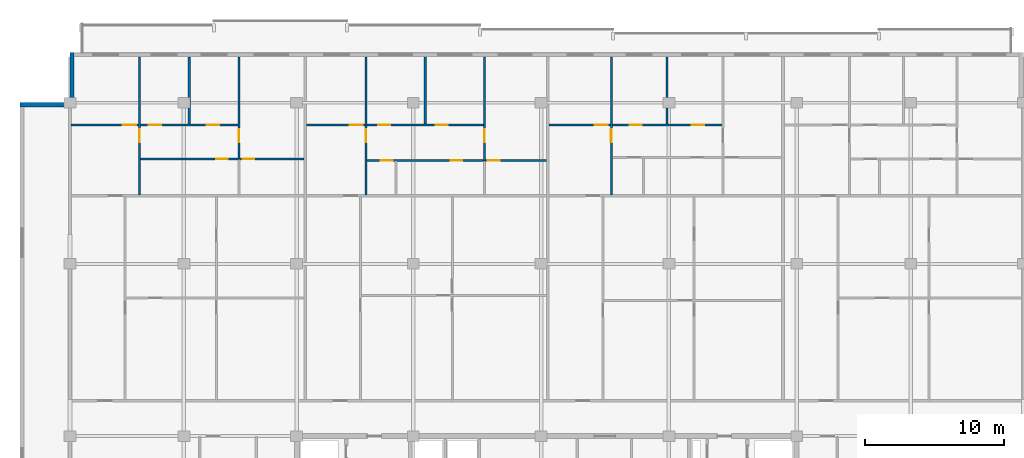
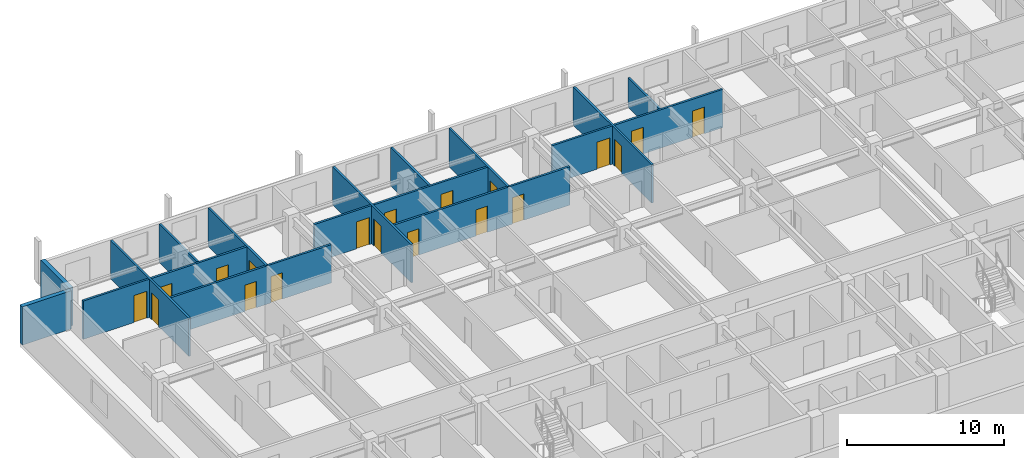
# One storey, part 15 of 23: 19 doors, 15 walls, 19 openings.
"""IFC4 building model written with IfcOpenShell, lengths in metres."""

from ifc_helpers import new_model, si_unit, direction, frame, frame_2d, origin, place, context, subcontext, project, spatial, rectangle, extrude, material, layer, layer_set, type_object, element, fill, save


model = new_model("IFC4")

# Units and contexts
model_context = context("Model", 3, precision=1e-05, world=origin(), true_north=direction((0.0, 1.0)))
body_context = subcontext(model_context, "Body", "Model", "MODEL_VIEW")
ifc_project = project(units=[si_unit("LENGTHUNIT", "METRE"), si_unit("AREAUNIT", "SQUARE_METRE"), si_unit("VOLUMEUNIT", "CUBIC_METRE"), si_unit("PLANEANGLEUNIT", "RADIAN"), si_unit("MASSUNIT", "GRAM", prefix="KILO")], contexts=[model_context])

# Site, building, storey
site_placement = place(None, origin())
site = spatial("IfcSite", under=ifc_project, at=site_placement, CompositionType="ELEMENT")
building_placement = place(site_placement, origin())
building = spatial("IfcBuilding", under=site, at=building_placement, Name="Korimba Cascade Residences", CompositionType="ELEMENT")
storey_placement = place(building_placement, frame((0.0, 0.0, 165.35009765625)))
storey = spatial("IfcBuildingStorey", under=building, at=storey_placement, Name="L47", CompositionType="ELEMENT", Elevation=165.35009765625)

# Walls
ifc_material_1 = material(Name="Precast concrete C40/50", Category="concrete")
ifc_layer_1 = layer(ifc_material_1, 0.300048828125)
ifc_layer_set_1 = layer_set([ifc_layer_1], Name="Precast concrete C40/50")
wall_type_1 = type_object("IfcWallType", Name="EW-STONE-300", PredefinedType="STANDARD", material=ifc_layer_set_1)
for number, where, z_axis, x_axis, name in (
    (1, (59.949951171875, 94.800048828125, 0.0), (0.0, 0.0, 1.0), (0.0, -1.0, 0.0), "L47 T1 Perimeter Stone Wall E07"),
    (2, (59.800048828125, 91.050048828125, 0.0), (0.0, 0.0, 1.0), (-1.0, 0.0, 0.0), "L47 T1 Perimeter Stone Wall E08"),
):
    element("IfcWall", number, at=place(storey_placement, frame(where, z_axis=z_axis, x_axis=x_axis)), inside=storey, type_object=wall_type_1, Name=name, PredefinedType="STANDARD", context=body_context, shape_type="SweptSolid", body=[
        extrude(rectangle(XDim=3.60009765625, YDim=0.300048828125, at=frame_2d((1.800048828125, 0.0))), origin(), (0.0, 0.0, 1.0), 2.969970703125),
    ])
ifc_material_2 = material(Name="Insulated Acoustic Stud Partition", Category="gypsum")
ifc_layer_2 = layer(ifc_material_2, 0.14990234375)
ifc_layer_set_2 = layer_set([ifc_layer_2], Name="Insulated Acoustic Stud Partition")
wall_type_2 = type_object("IfcWallType", Name="WAL-PART-150", PredefinedType="PARTITIONING", material=ifc_layer_set_2)
wall_1_placement = place(storey_placement, frame((68.382568359375, 89.679931640625, 0.0), z_axis=(0.0, 0.0, 1.0), x_axis=(0.0, 1.0, 0.0)))
element("IfcWall", 3, at=wall_1_placement, inside=storey, type_object=wall_type_2, Name="L47 Partition Wall WAL-L47-T1-U01-VB3", PredefinedType="PARTITIONING", context=body_context, shape_type="SweptSolid", body=[
    extrude(rectangle(XDim=4.820068359375, YDim=0.14990234375, at=frame_2d((2.41015625, 0.0))), origin(), (0.0, 0.0, 1.0), 2.969970703125),
])

# Wall, opening, door
wall_2_placement = place(storey_placement, frame((64.800048828125, 84.5400390625, 0.0), z_axis=(0.0, 0.0, 1.0), x_axis=(0.0, 1.0, 0.0)))
wall_2 = element("IfcWall", 4, at=wall_2_placement, inside=storey, type_object=wall_type_2, Name="L47 Partition Wall WAL-L47-T1-U01-V1", PredefinedType="PARTITIONING", context=body_context, shape_type="SweptSolid", body=[
    extrude(rectangle(XDim=9.9599609375, YDim=0.14990234375, at=frame_2d((4.97998046875, 0.0))), origin(), (0.0, 0.0, 1.0), 2.969970703125),
])
opening_1_placement = place(wall_2_placement, frame((3.820068359375, 0.0, 0.0)))
opening_1 = element("IfcOpeningElement", 5, at=opening_1_placement, cuts=wall_2, Name="Opening D-IN1", PredefinedType="OPENING", context=body_context, shape_type="SweptSolid", body=[
    extrude(rectangle(XDim=0.919921875, YDim=2.080078125, at=frame_2d((0.4599609375, 1.0400390625))), frame((0.0, 0.0849609375, 0.0), z_axis=(0.0, -1.0, 0.0), x_axis=(1.0, 0.0, 0.0)), (0.0, 0.0, 1.0), 0.169921875),
])
ifc_material_3 = material(Name="Acoustic Timber Living Door", Category="wood")
door_type_1 = type_object("IfcDoorType", Name="DR-INT-920", OperationType="NOTDEFINED", PredefinedType="DOOR", material=ifc_material_3)
door_1_placement = place(opening_1_placement, origin())
door_1 = element("IfcDoor", 6, at=door_1_placement, inside=storey, type_object=door_type_1, Name="L47-T1-U01 Hallway Door", OperationType="SINGLE_SWING_LEFT", OverallHeight=2.080078125, OverallWidth=0.919921875, PredefinedType="DOOR", context=body_context, shape_type="SweptSolid", body=[
    extrude(rectangle(XDim=0.919921875, YDim=2.080078125, at=frame_2d((0.4599609375, 1.0400390625))), frame((0.0, 0.02490234375, 0.0), z_axis=(0.0, -1.0, 0.0), x_axis=(1.0, 0.0, 0.0)), (0.0, 0.0, 1.0), 0.050048828125),
])
fill(opening_1, door_1)

wall_3_placement = place(storey_placement, frame((71.965087890625, 87.159912109375, 0.0), z_axis=(0.0, 0.0, 1.0), x_axis=(0.0, 1.0, 0.0)))
wall_3 = element("IfcWall", 7, at=wall_3_placement, inside=storey, type_object=wall_type_2, Name="L47 Partition Wall WAL-L47-T1-U01-V2FULL", PredefinedType="PARTITIONING", context=body_context, shape_type="SweptSolid", body=[
    extrude(rectangle(XDim=7.340087890625, YDim=0.14990234375, at=frame_2d((3.669921875, 0.0))), origin(), (0.0, 0.0, 1.0), 2.969970703125),
])
opening_2_placement = place(wall_3_placement, frame((1.199951171875, 0.0, 0.0)))
opening_2 = element("IfcOpeningElement", 8, at=opening_2_placement, cuts=wall_3, Name="Opening D-IN1", PredefinedType="OPENING", context=body_context, shape_type="SweptSolid", body=[
    extrude(rectangle(XDim=0.919921875, YDim=2.080078125, at=frame_2d((0.4599609375, 1.0400390625))), frame((0.0, 0.0849609375, 0.0), z_axis=(0.0, -1.0, 0.0), x_axis=(1.0, 0.0, 0.0)), (0.0, 0.0, 1.0), 0.169921875),
])
door_2_placement = place(opening_2_placement, origin())
door_2 = element("IfcDoor", 9, at=door_2_placement, inside=storey, type_object=door_type_1, Name="L47-T1-U01 Master Bedroom Door", OperationType="SINGLE_SWING_RIGHT", OverallHeight=2.080078125, OverallWidth=0.919921875, PredefinedType="DOOR", context=body_context, shape_type="SweptSolid", body=[
    extrude(rectangle(XDim=0.919921875, YDim=2.080078125, at=frame_2d((0.4599609375, 1.0400390625))), frame((0.0, 0.02490234375, 0.0), z_axis=(0.0, -1.0, 0.0), x_axis=(1.0, 0.0, 0.0)), (0.0, 0.0, 1.0), 0.050048828125),
])
fill(opening_2, door_2)

# Wall, openings, doors
wall_4_placement = place(storey_placement, frame((64.840087890625, 87.139892578125, 0.0), z_axis=(0.0, 0.0, 1.0), x_axis=(1.0, 0.0, 0.0)))
wall_4 = element("IfcWall", 10, at=wall_4_placement, inside=storey, type_object=wall_type_2, Name="L47 Partition Wall WAL-L47-T1-U01-HWALL", PredefinedType="PARTITIONING", context=body_context, shape_type="SweptSolid", body=[
    extrude(rectangle(XDim=11.81494140625, YDim=0.14990234375, at=frame_2d((5.907470703125, 0.0))), origin(), (0.0, 0.0, 1.0), 2.969970703125),
])
opening_3_placement = place(wall_4_placement, frame((5.487548828125, 0.0, 0.0)))
opening_3 = element("IfcOpeningElement", 11, at=opening_3_placement, cuts=wall_4, Name="Opening D-BT1", PredefinedType="OPENING", context=body_context, shape_type="SweptSolid", body=[
    extrude(rectangle(XDim=0.840087890625, YDim=2.0400390625, at=frame_2d((0.419921875, 1.02001953125))), frame((0.0, 0.0849609375, 0.0), z_axis=(0.0, -1.0, 0.0), x_axis=(1.0, 0.0, 0.0)), (0.0, 0.0, 1.0), 0.169921875),
])
opening_4_placement = place(wall_4_placement, frame((7.375, 0.0, 0.0)))
opening_4 = element("IfcOpeningElement", 12, at=opening_4_placement, cuts=wall_4, Name="Opening D-BT1", PredefinedType="OPENING", context=body_context, shape_type="SweptSolid", body=[
    extrude(rectangle(XDim=0.840087890625, YDim=2.0400390625, at=frame_2d((0.419921875, 1.02001953125))), frame((0.0, 0.0849609375, 0.0), z_axis=(0.0, -1.0, 0.0), x_axis=(1.0, 0.0, 0.0)), (0.0, 0.0, 1.0), 0.169921875),
])
ifc_material_4 = material(Name="Moisture-Resistant Bathroom Timber Door", Category="wood")
door_type_2 = type_object("IfcDoorType", Name="DR-INT-850", OperationType="NOTDEFINED", PredefinedType="DOOR", material=ifc_material_4)
door_3_placement = place(opening_3_placement, origin())
door_3 = element("IfcDoor", 13, at=door_3_placement, inside=storey, type_object=door_type_2, Name="L47-T1-U01 Family Bathroom Door", OperationType="SINGLE_SWING_LEFT", OverallHeight=2.0400390625, OverallWidth=0.840087890625, PredefinedType="DOOR", context=body_context, shape_type="SweptSolid", body=[
    extrude(rectangle(XDim=0.840087890625, YDim=2.0400390625, at=frame_2d((0.419921875, 1.02001953125))), frame((0.0, 0.02490234375, 0.0), z_axis=(0.0, -1.0, 0.0), x_axis=(1.0, 0.0, 0.0)), (0.0, 0.0, 1.0), 0.050048828125),
])
fill(opening_3, door_3)
door_4_placement = place(opening_4_placement, origin())
door_4 = element("IfcDoor", 14, at=door_4_placement, inside=storey, type_object=door_type_2, Name="L47-T1-U01 En-Suite Door", OperationType="SINGLE_SWING_RIGHT", OverallHeight=2.0400390625, OverallWidth=0.840087890625, PredefinedType="DOOR", context=body_context, shape_type="SweptSolid", body=[
    extrude(rectangle(XDim=0.840087890625, YDim=2.0400390625, at=frame_2d((0.419921875, 1.02001953125))), frame((0.0, 0.02490234375, 0.0), z_axis=(0.0, -1.0, 0.0), x_axis=(1.0, 0.0, 0.0)), (0.0, 0.0, 1.0), 0.050048828125),
])
fill(opening_4, door_4)

wall_5_placement = place(storey_placement, frame((59.8798828125, 89.60009765625, 0.0), z_axis=(0.0, 0.0, 1.0), x_axis=(1.0, 0.0, 0.0)))
wall_5 = element("IfcWall", 15, at=wall_5_placement, inside=storey, type_object=wall_type_2, Name="L47 Partition Wall WAL-L47-T1-U01-HZ", PredefinedType="PARTITIONING", context=body_context, shape_type="SweptSolid", body=[
    extrude(rectangle(XDim=12.085205078125, YDim=0.14990234375, at=frame_2d((6.04248046875, 0.0))), origin(), (0.0, 0.0, 1.0), 2.969970703125),
])
opening_5_placement = place(wall_5_placement, frame((3.72998046875, 0.0, 0.0)))
opening_5 = element("IfcOpeningElement", 16, at=opening_5_placement, cuts=wall_5, Name="Opening D-IN0", PredefinedType="OPENING", context=body_context, shape_type="SweptSolid", body=[
    extrude(rectangle(XDim=0.93994140625, YDim=2.10009765625, at=frame_2d((0.469970703125, 1.050048828125))), frame((0.0, 0.0849609375, 0.0), z_axis=(0.0, -1.0, 0.0), x_axis=(1.0, 0.0, 0.0)), (0.0, 0.0, 1.0), 0.169921875),
])
opening_6_placement = place(wall_5_placement, frame((5.6025390625, 0.0, 0.0)))
opening_6 = element("IfcOpeningElement", 17, at=opening_6_placement, cuts=wall_5, Name="Opening D-IN2", PredefinedType="OPENING", context=body_context, shape_type="SweptSolid", body=[
    extrude(rectangle(XDim=0.8798828125, YDim=2.06005859375, at=frame_2d((0.43994140625, 1.030029296875))), frame((0.0, 0.0849609375, 0.0), z_axis=(0.0, -1.0, 0.0), x_axis=(1.0, 0.0, 0.0)), (0.0, 0.0, 1.0), 0.169921875),
])
opening_7_placement = place(wall_5_placement, frame((9.76318359375, 0.0, 0.0)))
opening_7 = element("IfcOpeningElement", 18, at=opening_7_placement, cuts=wall_5, Name="Opening D-IN2", PredefinedType="OPENING", context=body_context, shape_type="SweptSolid", body=[
    extrude(rectangle(XDim=0.8798828125, YDim=2.06005859375, at=frame_2d((0.43994140625, 1.030029296875))), frame((0.0, 0.0849609375, 0.0), z_axis=(0.0, -1.0, 0.0), x_axis=(1.0, 0.0, 0.0)), (0.0, 0.0, 1.0), 0.169921875),
])
ifc_material_5 = material(Name="Acoustic Timber Bedroom Door", Category="wood")
door_type_3 = type_object("IfcDoorType", Name="DR-INT-880", OperationType="NOTDEFINED", PredefinedType="DOOR", material=ifc_material_5)
door_5_placement = place(opening_6_placement, origin())
door_5 = element("IfcDoor", 19, at=door_5_placement, inside=storey, type_object=door_type_3, Name="L47-T1-U01 Bedroom 2 Door", OperationType="SINGLE_SWING_LEFT", OverallHeight=2.06005859375, OverallWidth=0.8798828125, PredefinedType="DOOR", context=body_context, shape_type="SweptSolid", body=[
    extrude(rectangle(XDim=0.8798828125, YDim=2.06005859375, at=frame_2d((0.43994140625, 1.030029296875))), frame((0.0, 0.02490234375, 0.0), z_axis=(0.0, -1.0, 0.0), x_axis=(1.0, 0.0, 0.0)), (0.0, 0.0, 1.0), 0.050048828125),
])
fill(opening_6, door_5)
door_6_placement = place(opening_7_placement, origin())
door_6 = element("IfcDoor", 20, at=door_6_placement, inside=storey, type_object=door_type_3, Name="L47-T1-U01 Bedroom 3 Door", OperationType="SINGLE_SWING_RIGHT", OverallHeight=2.06005859375, OverallWidth=0.8798828125, PredefinedType="DOOR", context=body_context, shape_type="SweptSolid", body=[
    extrude(rectangle(XDim=0.8798828125, YDim=2.06005859375, at=frame_2d((0.43994140625, 1.030029296875))), frame((0.0, 0.02490234375, 0.0), z_axis=(0.0, -1.0, 0.0), x_axis=(1.0, 0.0, 0.0)), (0.0, 0.0, 1.0), 0.050048828125),
])
fill(opening_7, door_6)
ifc_material_6 = material(Name="Acoustic Timber Living Archway Door", Category="wood")
door_type_4 = type_object("IfcDoorType", Name="DR-INT-950", OperationType="NOTDEFINED", PredefinedType="DOOR", material=ifc_material_6)
door_7_placement = place(opening_5_placement, origin())
door_7 = element("IfcDoor", 21, at=door_7_placement, inside=storey, type_object=door_type_4, Name="L47-T1-U01 Living Room Door", OperationType="SINGLE_SWING_RIGHT", OverallHeight=2.10009765625, OverallWidth=0.93994140625, PredefinedType="DOOR", context=body_context, shape_type="SweptSolid", body=[
    extrude(rectangle(XDim=0.93994140625, YDim=2.10009765625, at=frame_2d((0.469970703125, 1.050048828125))), frame((0.0, 0.02490234375, 0.0), z_axis=(0.0, -1.0, 0.0), x_axis=(1.0, 0.0, 0.0)), (0.0, 0.0, 1.0), 0.050048828125),
])
fill(opening_5, door_7)

# Wall
wall_6_placement = place(storey_placement, frame((85.364990234375, 89.679931640625, 0.0), z_axis=(0.0, 0.0, 1.0), x_axis=(0.0, 1.0, 0.0)))
element("IfcWall", 22, at=wall_6_placement, inside=storey, type_object=wall_type_2, Name="L47 Partition Wall WAL-L47-T1-U02-VB3", PredefinedType="PARTITIONING", context=body_context, shape_type="SweptSolid", body=[
    extrude(rectangle(XDim=4.820068359375, YDim=0.14990234375, at=frame_2d((2.41015625, 0.0))), origin(), (0.0, 0.0, 1.0), 2.969970703125),
])

# Wall, opening, door
wall_7_placement = place(storey_placement, frame((81.10498046875, 84.5400390625, 0.0), z_axis=(0.0, 0.0, 1.0), x_axis=(0.0, 1.0, 0.0)))
wall_7 = element("IfcWall", 23, at=wall_7_placement, inside=storey, type_object=wall_type_2, Name="L47 Partition Wall WAL-L47-T1-U02-V1", PredefinedType="PARTITIONING", context=body_context, shape_type="SweptSolid", body=[
    extrude(rectangle(XDim=9.9599609375, YDim=0.14990234375, at=frame_2d((4.97998046875, 0.0))), origin(), (0.0, 0.0, 1.0), 2.969970703125),
])
opening_8_placement = place(wall_7_placement, frame((3.820068359375, 0.0, 0.0)))
opening_8 = element("IfcOpeningElement", 24, at=opening_8_placement, cuts=wall_7, Name="Opening D-IN1", PredefinedType="OPENING", context=body_context, shape_type="SweptSolid", body=[
    extrude(rectangle(XDim=0.919921875, YDim=2.080078125, at=frame_2d((0.4599609375, 1.0400390625))), frame((0.0, 0.0849609375, 0.0), z_axis=(0.0, -1.0, 0.0), x_axis=(1.0, 0.0, 0.0)), (0.0, 0.0, 1.0), 0.169921875),
])
door_8_placement = place(opening_8_placement, origin())
door_8 = element("IfcDoor", 25, at=door_8_placement, inside=storey, type_object=door_type_1, Name="L47-T1-U02 Hallway Door", OperationType="SINGLE_SWING_LEFT", OverallHeight=2.080078125, OverallWidth=0.919921875, PredefinedType="DOOR", context=body_context, shape_type="SweptSolid", body=[
    extrude(rectangle(XDim=0.919921875, YDim=2.080078125, at=frame_2d((0.4599609375, 1.0400390625))), frame((0.0, 0.02490234375, 0.0), z_axis=(0.0, -1.0, 0.0), x_axis=(1.0, 0.0, 0.0)), (0.0, 0.0, 1.0), 0.050048828125),
])
fill(opening_8, door_8)

wall_8_placement = place(storey_placement, frame((89.625, 87.050048828125, 0.0), z_axis=(0.0, 0.0, 1.0), x_axis=(0.0, 1.0, 0.0)))
wall_8 = element("IfcWall", 26, at=wall_8_placement, inside=storey, type_object=wall_type_2, Name="L47 Partition Wall WAL-L47-T1-U02-V2FULL", PredefinedType="PARTITIONING", context=body_context, shape_type="SweptSolid", body=[
    extrude(rectangle(XDim=7.449951171875, YDim=0.14990234375, at=frame_2d((3.72509765625, 0.0))), origin(), (0.0, 0.0, 1.0), 2.969970703125),
])
opening_9_placement = place(wall_8_placement, frame((1.31005859375, 0.0, 0.0)))
opening_9 = element("IfcOpeningElement", 27, at=opening_9_placement, cuts=wall_8, Name="Opening D-IN1", PredefinedType="OPENING", context=body_context, shape_type="SweptSolid", body=[
    extrude(rectangle(XDim=0.919921875, YDim=2.080078125, at=frame_2d((0.4599609375, 1.0400390625))), frame((0.0, 0.0849609375, 0.0), z_axis=(0.0, -1.0, 0.0), x_axis=(1.0, 0.0, 0.0)), (0.0, 0.0, 1.0), 0.169921875),
])
door_9_placement = place(opening_9_placement, origin())
door_9 = element("IfcDoor", 28, at=door_9_placement, inside=storey, type_object=door_type_1, Name="L47-T1-U02 Master Bedroom Door", OperationType="SINGLE_SWING_RIGHT", OverallHeight=2.080078125, OverallWidth=0.919921875, PredefinedType="DOOR", context=body_context, shape_type="SweptSolid", body=[
    extrude(rectangle(XDim=0.919921875, YDim=2.080078125, at=frame_2d((0.4599609375, 1.0400390625))), frame((0.0, 0.02490234375, 0.0), z_axis=(0.0, -1.0, 0.0), x_axis=(1.0, 0.0, 0.0)), (0.0, 0.0, 1.0), 0.050048828125),
])
fill(opening_9, door_9)

# Wall, openings, doors
wall_9_placement = place(storey_placement, frame((81.14501953125, 87.030029296875, 0.0), z_axis=(0.0, 0.0, 1.0), x_axis=(1.0, 0.0, 0.0)))
wall_9 = element("IfcWall", 29, at=wall_9_placement, inside=storey, type_object=wall_type_2, Name="L47 Partition Wall WAL-L47-T1-U02-HWALL", PredefinedType="PARTITIONING", context=body_context, shape_type="SweptSolid", body=[
    extrude(rectangle(XDim=12.949951171875, YDim=0.14990234375, at=frame_2d((6.47509765625, 0.0))), origin(), (0.0, 0.0, 1.0), 2.969970703125),
])
opening_10_placement = place(wall_9_placement, frame((1.033935546875, 0.0, 0.0)))
opening_10 = element("IfcOpeningElement", 30, at=opening_10_placement, cuts=wall_9, Name="Opening D-BT1", PredefinedType="OPENING", context=body_context, shape_type="SweptSolid", body=[
    extrude(rectangle(XDim=0.840087890625, YDim=2.0400390625, at=frame_2d((0.419921875, 1.02001953125))), frame((0.0, 0.0849609375, 0.0), z_axis=(0.0, -1.0, 0.0), x_axis=(1.0, 0.0, 0.0)), (0.0, 0.0, 1.0), 0.169921875),
])
opening_11_placement = place(wall_9_placement, frame((6.054931640625, 0.0, 0.0)))
opening_11 = element("IfcOpeningElement", 31, at=opening_11_placement, cuts=wall_9, Name="Opening D-BT1", PredefinedType="OPENING", context=body_context, shape_type="SweptSolid", body=[
    extrude(rectangle(XDim=0.840087890625, YDim=2.0400390625, at=frame_2d((0.419921875, 1.02001953125))), frame((0.0, 0.0849609375, 0.0), z_axis=(0.0, -1.0, 0.0), x_axis=(1.0, 0.0, 0.0)), (0.0, 0.0, 1.0), 0.169921875),
])
opening_12_placement = place(wall_9_placement, frame((8.72998046875, 0.0, 0.0)))
opening_12 = element("IfcOpeningElement", 32, at=opening_12_placement, cuts=wall_9, Name="Opening D-BT1", PredefinedType="OPENING", context=body_context, shape_type="SweptSolid", body=[
    extrude(rectangle(XDim=0.840087890625, YDim=2.0400390625, at=frame_2d((0.419921875, 1.02001953125))), frame((0.0, 0.0849609375, 0.0), z_axis=(0.0, -1.0, 0.0), x_axis=(1.0, 0.0, 0.0)), (0.0, 0.0, 1.0), 0.169921875),
])
door_10_placement = place(opening_10_placement, origin())
door_10 = element("IfcDoor", 33, at=door_10_placement, inside=storey, type_object=door_type_2, Name="L47-T1-U02 Family Bathroom Door", OperationType="SINGLE_SWING_LEFT", OverallHeight=2.0400390625, OverallWidth=0.840087890625, PredefinedType="DOOR", context=body_context, shape_type="SweptSolid", body=[
    extrude(rectangle(XDim=0.840087890625, YDim=2.0400390625, at=frame_2d((0.419921875, 1.02001953125))), frame((0.0, 0.02490234375, 0.0), z_axis=(0.0, -1.0, 0.0), x_axis=(1.0, 0.0, 0.0)), (0.0, 0.0, 1.0), 0.050048828125),
])
fill(opening_10, door_10)
door_11_placement = place(opening_11_placement, origin())
door_11 = element("IfcDoor", 34, at=door_11_placement, inside=storey, type_object=door_type_2, Name="L47-T1-U02 Dressing Room Door", OperationType="SINGLE_SWING_RIGHT", OverallHeight=2.0400390625, OverallWidth=0.840087890625, PredefinedType="DOOR", context=body_context, shape_type="SweptSolid", body=[
    extrude(rectangle(XDim=0.840087890625, YDim=2.0400390625, at=frame_2d((0.419921875, 1.02001953125))), frame((0.0, 0.02490234375, 0.0), z_axis=(0.0, -1.0, 0.0), x_axis=(1.0, 0.0, 0.0)), (0.0, 0.0, 1.0), 0.050048828125),
])
fill(opening_11, door_11)
door_12_placement = place(opening_12_placement, origin())
door_12 = element("IfcDoor", 35, at=door_12_placement, inside=storey, type_object=door_type_2, Name="L47-T1-U02 En-Suite Door", OperationType="SINGLE_SWING_LEFT", OverallHeight=2.0400390625, OverallWidth=0.840087890625, PredefinedType="DOOR", context=body_context, shape_type="SweptSolid", body=[
    extrude(rectangle(XDim=0.840087890625, YDim=2.0400390625, at=frame_2d((0.419921875, 1.02001953125))), frame((0.0, 0.02490234375, 0.0), z_axis=(0.0, -1.0, 0.0), x_axis=(1.0, 0.0, 0.0)), (0.0, 0.0, 1.0), 0.050048828125),
])
fill(opening_12, door_12)

wall_10_placement = place(storey_placement, frame((76.815185546875, 89.60009765625, 0.0), z_axis=(0.0, 0.0, 1.0), x_axis=(1.0, 0.0, 0.0)))
wall_10 = element("IfcWall", 36, at=wall_10_placement, inside=storey, type_object=wall_type_2, Name="L47 Partition Wall WAL-L47-T1-U02-HZ", PredefinedType="PARTITIONING", context=body_context, shape_type="SweptSolid", body=[
    extrude(rectangle(XDim=12.809814453125, YDim=0.14990234375, at=frame_2d((6.40478515625, 0.0))), origin(), (0.0, 0.0, 1.0), 2.969970703125),
])
opening_13_placement = place(wall_10_placement, frame((3.10009765625, 0.0, 0.0)))
opening_13 = element("IfcOpeningElement", 37, at=opening_13_placement, cuts=wall_10, Name="Opening D-IN0", PredefinedType="OPENING", context=body_context, shape_type="SweptSolid", body=[
    extrude(rectangle(XDim=0.93994140625, YDim=2.10009765625, at=frame_2d((0.469970703125, 1.050048828125))), frame((0.0, 0.0849609375, 0.0), z_axis=(0.0, -1.0, 0.0), x_axis=(1.0, 0.0, 0.0)), (0.0, 0.0, 1.0), 0.169921875),
])
opening_14_placement = place(wall_10_placement, frame((5.15673828125, 0.0, 0.0)))
opening_14 = element("IfcOpeningElement", 38, at=opening_14_placement, cuts=wall_10, Name="Opening D-IN2", PredefinedType="OPENING", context=body_context, shape_type="SweptSolid", body=[
    extrude(rectangle(XDim=0.8798828125, YDim=2.06005859375, at=frame_2d((0.43994140625, 1.030029296875))), frame((0.0, 0.0849609375, 0.0), z_axis=(0.0, -1.0, 0.0), x_axis=(1.0, 0.0, 0.0)), (0.0, 0.0, 1.0), 0.169921875),
])
opening_15_placement = place(wall_10_placement, frame((9.299072265625, 0.0, 0.0)))
opening_15 = element("IfcOpeningElement", 39, at=opening_15_placement, cuts=wall_10, Name="Opening D-IN2", PredefinedType="OPENING", context=body_context, shape_type="SweptSolid", body=[
    extrude(rectangle(XDim=0.8798828125, YDim=2.06005859375, at=frame_2d((0.43994140625, 1.030029296875))), frame((0.0, 0.0849609375, 0.0), z_axis=(0.0, -1.0, 0.0), x_axis=(1.0, 0.0, 0.0)), (0.0, 0.0, 1.0), 0.169921875),
])
door_13_placement = place(opening_14_placement, origin())
door_13 = element("IfcDoor", 40, at=door_13_placement, inside=storey, type_object=door_type_3, Name="L47-T1-U02 Bedroom 2 Door", OperationType="SINGLE_SWING_RIGHT", OverallHeight=2.06005859375, OverallWidth=0.8798828125, PredefinedType="DOOR", context=body_context, shape_type="SweptSolid", body=[
    extrude(rectangle(XDim=0.8798828125, YDim=2.06005859375, at=frame_2d((0.43994140625, 1.030029296875))), frame((0.0, 0.02490234375, 0.0), z_axis=(0.0, -1.0, 0.0), x_axis=(1.0, 0.0, 0.0)), (0.0, 0.0, 1.0), 0.050048828125),
])
fill(opening_14, door_13)
door_14_placement = place(opening_15_placement, origin())
door_14 = element("IfcDoor", 41, at=door_14_placement, inside=storey, type_object=door_type_3, Name="L47-T1-U02 Bedroom 3 Door", OperationType="SINGLE_SWING_LEFT", OverallHeight=2.06005859375, OverallWidth=0.8798828125, PredefinedType="DOOR", context=body_context, shape_type="SweptSolid", body=[
    extrude(rectangle(XDim=0.8798828125, YDim=2.06005859375, at=frame_2d((0.43994140625, 1.030029296875))), frame((0.0, 0.02490234375, 0.0), z_axis=(0.0, -1.0, 0.0), x_axis=(1.0, 0.0, 0.0)), (0.0, 0.0, 1.0), 0.050048828125),
])
fill(opening_15, door_14)
door_15_placement = place(opening_13_placement, origin())
door_15 = element("IfcDoor", 42, at=door_15_placement, inside=storey, type_object=door_type_4, Name="L47-T1-U02 Living Room Door", OperationType="SINGLE_SWING_LEFT", OverallHeight=2.10009765625, OverallWidth=0.93994140625, PredefinedType="DOOR", context=body_context, shape_type="SweptSolid", body=[
    extrude(rectangle(XDim=0.93994140625, YDim=2.10009765625, at=frame_2d((0.469970703125, 1.050048828125))), frame((0.0, 0.02490234375, 0.0), z_axis=(0.0, -1.0, 0.0), x_axis=(1.0, 0.0, 0.0)), (0.0, 0.0, 1.0), 0.050048828125),
])
fill(opening_13, door_15)

# Wall
wall_11_placement = place(storey_placement, frame((102.767578125, 89.679931640625, 0.0), z_axis=(0.0, 0.0, 1.0), x_axis=(0.0, 1.0, 0.0)))
element("IfcWall", 43, at=wall_11_placement, inside=storey, type_object=wall_type_2, Name="L47 Partition Wall WAL-L47-T1-U03-VB3", PredefinedType="PARTITIONING", context=body_context, shape_type="SweptSolid", body=[
    extrude(rectangle(XDim=4.820068359375, YDim=0.14990234375, at=frame_2d((2.41015625, 0.0))), origin(), (0.0, 0.0, 1.0), 2.277099609375),
])

# Wall, opening, door
wall_12_placement = place(storey_placement, frame((98.7548828125, 84.5400390625, 0.0), z_axis=(0.0, 0.0, 1.0), x_axis=(0.0, 1.0, 0.0)))
wall_12 = element("IfcWall", 44, at=wall_12_placement, inside=storey, type_object=wall_type_2, Name="L47 Partition Wall WAL-L47-T1-U03-V1", PredefinedType="PARTITIONING", context=body_context, shape_type="SweptSolid", body=[
    extrude(rectangle(XDim=9.9599609375, YDim=0.14990234375, at=frame_2d((4.97998046875, 0.0))), origin(), (0.0, 0.0, 1.0), 2.969970703125),
])
opening_16_placement = place(wall_12_placement, frame((3.820068359375, 0.0, 0.0)))
opening_16 = element("IfcOpeningElement", 45, at=opening_16_placement, cuts=wall_12, Name="Opening D-IN1", PredefinedType="OPENING", context=body_context, shape_type="SweptSolid", body=[
    extrude(rectangle(XDim=0.919921875, YDim=2.080078125, at=frame_2d((0.4599609375, 1.0400390625))), frame((0.0, 0.0849609375, 0.0), z_axis=(0.0, -1.0, 0.0), x_axis=(1.0, 0.0, 0.0)), (0.0, 0.0, 1.0), 0.169921875),
])
door_16_placement = place(opening_16_placement, origin())
door_16 = element("IfcDoor", 46, at=door_16_placement, inside=storey, type_object=door_type_1, Name="L47-T1-U03 Hallway Door", OperationType="SINGLE_SWING_RIGHT", OverallHeight=2.080078125, OverallWidth=0.919921875, PredefinedType="DOOR", context=body_context, shape_type="SweptSolid", body=[
    extrude(rectangle(XDim=0.919921875, YDim=2.080078125, at=frame_2d((0.4599609375, 1.0400390625))), frame((0.0, 0.02490234375, 0.0), z_axis=(0.0, -1.0, 0.0), x_axis=(1.0, 0.0, 0.0)), (0.0, 0.0, 1.0), 0.050048828125),
])
fill(opening_16, door_16)

# Wall, openings, doors
wall_13_placement = place(storey_placement, frame((94.2548828125, 89.60009765625, 0.0), z_axis=(0.0, 0.0, 1.0), x_axis=(1.0, 0.0, 0.0)))
wall_13 = element("IfcWall", 47, at=wall_13_placement, inside=storey, type_object=wall_type_2, Name="L47 Partition Wall WAL-L47-T1-U03-HZ", PredefinedType="PARTITIONING", context=body_context, shape_type="SweptSolid", body=[
    extrude(rectangle(XDim=12.525146484375, YDim=0.14990234375, at=frame_2d((6.2626953125, 0.0))), origin(), (0.0, 0.0, 1.0), 2.969970703125),
])
opening_17_placement = place(wall_13_placement, frame((3.31005859375, 0.0, 0.0)))
opening_17 = element("IfcOpeningElement", 48, at=opening_17_placement, cuts=wall_13, Name="Opening D-IN0", PredefinedType="OPENING", context=body_context, shape_type="SweptSolid", body=[
    extrude(rectangle(XDim=0.93994140625, YDim=2.10009765625, at=frame_2d((0.469970703125, 1.050048828125))), frame((0.0, 0.0849609375, 0.0), z_axis=(0.0, -1.0, 0.0), x_axis=(1.0, 0.0, 0.0)), (0.0, 0.0, 1.0), 0.169921875),
])
opening_18_placement = place(wall_13_placement, frame((5.822509765625, 0.0, 0.0)))
opening_18 = element("IfcOpeningElement", 49, at=opening_18_placement, cuts=wall_13, Name="Opening D-IN2", PredefinedType="OPENING", context=body_context, shape_type="SweptSolid", body=[
    extrude(rectangle(XDim=0.8798828125, YDim=2.06005859375, at=frame_2d((0.43994140625, 1.030029296875))), frame((0.0, 0.0849609375, 0.0), z_axis=(0.0, -1.0, 0.0), x_axis=(1.0, 0.0, 0.0)), (0.0, 0.0, 1.0), 0.169921875),
])
opening_19_placement = place(wall_13_placement, frame((10.294189453125, 0.0, 0.0)))
opening_19 = element("IfcOpeningElement", 50, at=opening_19_placement, cuts=wall_13, Name="Opening D-IN2", PredefinedType="OPENING", context=body_context, shape_type="SweptSolid", body=[
    extrude(rectangle(XDim=0.8798828125, YDim=2.06005859375, at=frame_2d((0.43994140625, 1.030029296875))), frame((0.0, 0.0849609375, 0.0), z_axis=(0.0, -1.0, 0.0), x_axis=(1.0, 0.0, 0.0)), (0.0, 0.0, 1.0), 0.169921875),
])
door_17_placement = place(opening_18_placement, origin())
door_17 = element("IfcDoor", 51, at=door_17_placement, inside=storey, type_object=door_type_3, Name="L47-T1-U03 Bedroom 2 Door", OperationType="SINGLE_SWING_LEFT", OverallHeight=2.06005859375, OverallWidth=0.8798828125, PredefinedType="DOOR", context=body_context, shape_type="SweptSolid", body=[
    extrude(rectangle(XDim=0.8798828125, YDim=2.06005859375, at=frame_2d((0.43994140625, 1.030029296875))), frame((0.0, 0.02490234375, 0.0), z_axis=(0.0, -1.0, 0.0), x_axis=(1.0, 0.0, 0.0)), (0.0, 0.0, 1.0), 0.050048828125),
])
fill(opening_18, door_17)
door_18_placement = place(opening_19_placement, origin())
door_18 = element("IfcDoor", 52, at=door_18_placement, inside=storey, type_object=door_type_3, Name="L47-T1-U03 Bedroom 3 Door", OperationType="SINGLE_SWING_RIGHT", OverallHeight=2.06005859375, OverallWidth=0.8798828125, PredefinedType="DOOR", context=body_context, shape_type="SweptSolid", body=[
    extrude(rectangle(XDim=0.8798828125, YDim=2.06005859375, at=frame_2d((0.43994140625, 1.030029296875))), frame((0.0, 0.02490234375, 0.0), z_axis=(0.0, -1.0, 0.0), x_axis=(1.0, 0.0, 0.0)), (0.0, 0.0, 1.0), 0.050048828125),
])
fill(opening_19, door_18)
door_19_placement = place(opening_17_placement, origin())
door_19 = element("IfcDoor", 53, at=door_19_placement, inside=storey, type_object=door_type_4, Name="L47-T1-U03 Living Room Door", OperationType="SINGLE_SWING_RIGHT", OverallHeight=2.10009765625, OverallWidth=0.93994140625, PredefinedType="DOOR", context=body_context, shape_type="SweptSolid", body=[
    extrude(rectangle(XDim=0.93994140625, YDim=2.10009765625, at=frame_2d((0.469970703125, 1.050048828125))), frame((0.0, 0.02490234375, 0.0), z_axis=(0.0, -1.0, 0.0), x_axis=(1.0, 0.0, 0.0)), (0.0, 0.0, 1.0), 0.050048828125),
])
fill(opening_17, door_19)

save(model, "model.ifc")
